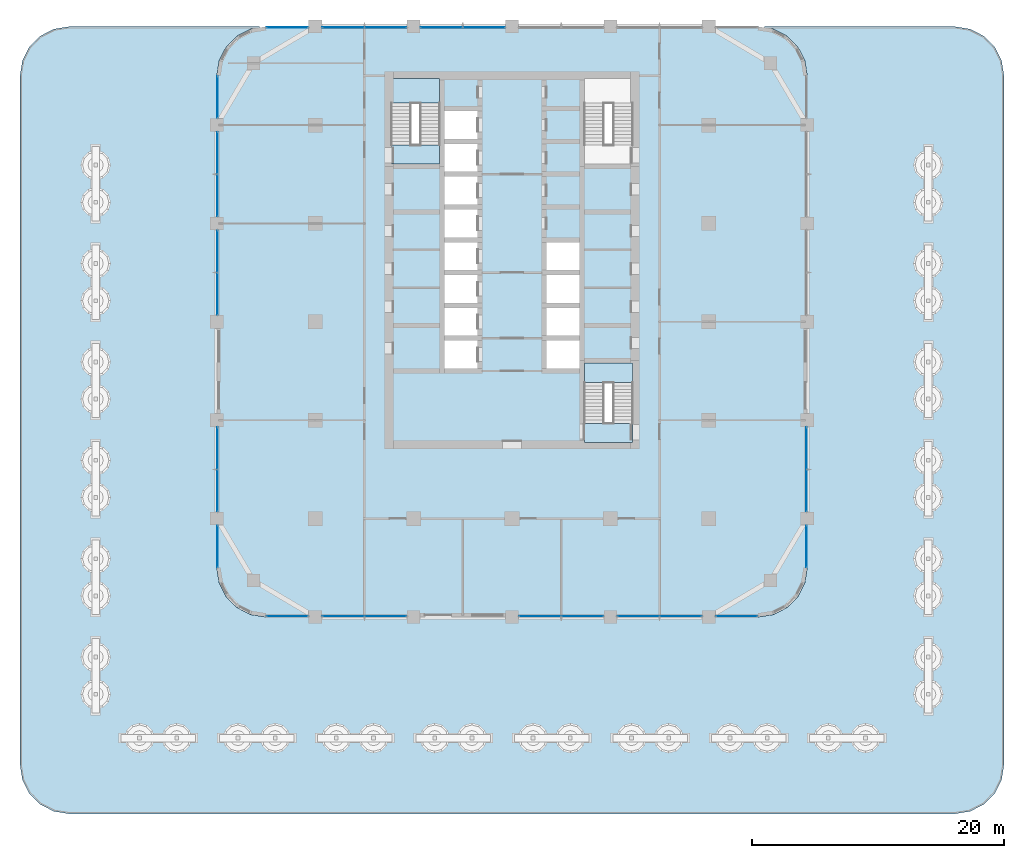
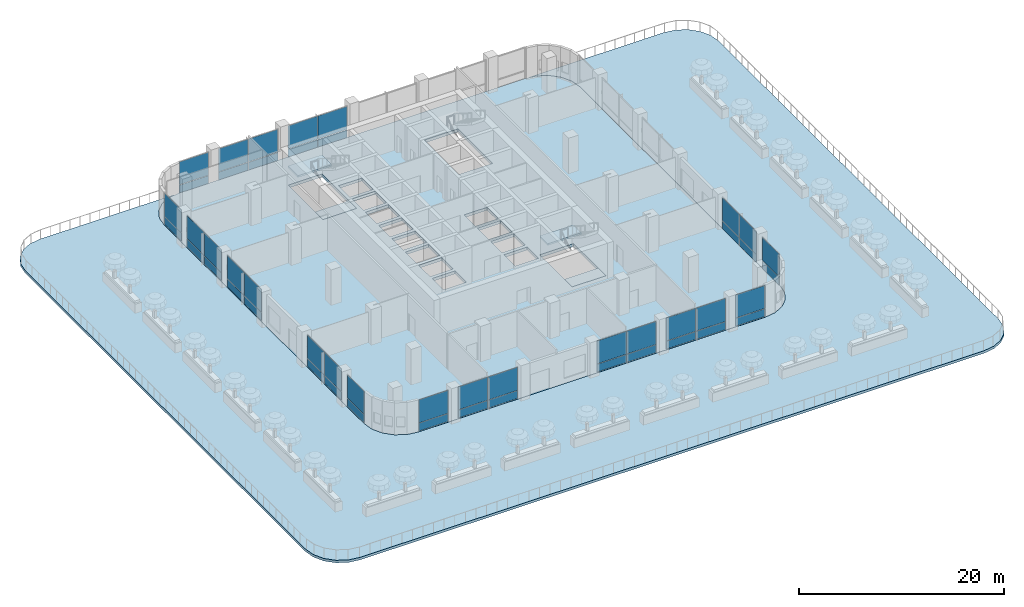
# One storey, part 10 of 31: 48 plates, 6 slabs, 17 elements without a shape of their own.
"""IFC4 building model written with IfcOpenShell, lengths in metres."""

from ifc_helpers import new_model, si_unit, direction, frame, origin, origin_2d, place, context, subcontext, project, spatial, polyline, rectangle, outline, extrude, material, layer, layer_set, type_object, element, aggregate, save


model = new_model("IFC4")

# Units and contexts
model_context = context("Model", 3, precision=1e-05, world=origin(), true_north=direction((0.0, 1.0)))
body_context = subcontext(model_context, "Body", "Model", "MODEL_VIEW")
ifc_project = project(units=[si_unit("LENGTHUNIT", "METRE"), si_unit("AREAUNIT", "SQUARE_METRE"), si_unit("VOLUMEUNIT", "CUBIC_METRE"), si_unit("PLANEANGLEUNIT", "RADIAN"), si_unit("MASSUNIT", "GRAM", prefix="KILO")], contexts=[model_context])

# Site, building, storey
site_placement = place(None, origin())
site = spatial("IfcSite", under=ifc_project, at=site_placement, CompositionType="ELEMENT")
building_placement = place(site_placement, origin())
building = spatial("IfcBuilding", under=site, at=building_placement, Name="Ludao Terraces", CompositionType="ELEMENT")
storey_placement = place(building_placement, frame((0.0, 0.0, 15.0)))
storey = spatial("IfcBuildingStorey", under=building, at=storey_placement, Name="L03", CompositionType="ELEMENT", Elevation=15.0)

# Curtain wall, plates
ifc_material_1 = material(Name="Aluminium curtain wall with fritted glass", Category="aluminium")
curtain_wall_type = type_object("IfcCurtainWallType", Name="ENV CW5 amenity glazing", PredefinedType="NOTDEFINED", material=ifc_material_1)
curtain_wall_1_placement = place(storey_placement, origin())
curtain_wall_1 = element("IfcCurtainWall", 1, at=curtain_wall_1_placement, inside=storey, type_object=curtain_wall_type, Name="Amenity glazing L03 S1", PredefinedType="NOTDEFINED")
ifc_material_2 = material(Name="Fritted glass panel", Category="glass")
ifc_layer_1 = layer(ifc_material_2, 0.02587890625)
ifc_layer_set_1 = layer_set([ifc_layer_1], Name="ENV CW5 glass panel")
plate_type = type_object("IfcPlateType", Name="ENV CW5 glass panel", PredefinedType="CURTAIN_PANEL", material=ifc_layer_set_1)
plate_1_placement = place(storey_placement, frame((67.1875, 41.659912109375, 0.0498046875), z_axis=(0.0, 0.0, 1.0), x_axis=(1.0, 0.0, 0.0)))
plate_1 = element("IfcPlate", 2, at=plate_1_placement, type_object=plate_type, Name="CW5 panel 1.1", PredefinedType="CURTAIN_PANEL", context=body_context, shape_type="SweptSolid", body=[
    extrude(rectangle(XDim=3.27490234375, YDim=0.02587890625, at=origin_2d()), origin(), (0.0, 0.0, 1.0), 0.925048828125),
])
plate_2_placement = place(storey_placement, frame((67.1875, 41.659912109375, 1.02490234375), z_axis=(0.0, 0.0, 1.0), x_axis=(1.0, 0.0, 0.0)))
plate_2 = element("IfcPlate", 3, at=plate_2_placement, type_object=plate_type, Name="CW5 panel 1.2", PredefinedType="CURTAIN_PANEL", context=body_context, shape_type="SweptSolid", body=[
    extrude(rectangle(XDim=3.27490234375, YDim=0.02587890625, at=origin_2d()), origin(), (0.0, 0.0, 1.0), 2.72509765625),
])
aggregate(curtain_wall_1, [plate_1, plate_2])

curtain_wall_2_placement = place(storey_placement, origin())
curtain_wall_2 = element("IfcCurtainWall", 4, at=curtain_wall_2_placement, inside=storey, type_object=curtain_wall_type, Name="Amenity glazing L03 S2", PredefinedType="NOTDEFINED")
plate_3_placement = place(storey_placement, frame((71.625, 41.659912109375, 0.0498046875), z_axis=(0.0, 0.0, 1.0), x_axis=(1.0, 0.0, 0.0)))
plate_3 = element("IfcPlate", 5, at=plate_3_placement, type_object=plate_type, Name="CW5 panel 1.1", PredefinedType="CURTAIN_PANEL", context=body_context, shape_type="SweptSolid", body=[
    extrude(rectangle(XDim=3.300048828125, YDim=0.02587890625, at=origin_2d()), origin(), (0.0, 0.0, 1.0), 0.925048828125),
])
plate_4_placement = place(storey_placement, frame((71.625, 41.659912109375, 1.02490234375), z_axis=(0.0, 0.0, 1.0), x_axis=(1.0, 0.0, 0.0)))
plate_4 = element("IfcPlate", 6, at=plate_4_placement, type_object=plate_type, Name="CW5 panel 1.2", PredefinedType="CURTAIN_PANEL", context=body_context, shape_type="SweptSolid", body=[
    extrude(rectangle(XDim=3.300048828125, YDim=0.02587890625, at=origin_2d()), origin(), (0.0, 0.0, 1.0), 2.72509765625),
])
plate_5_placement = place(storey_placement, frame((74.97509765625, 41.659912109375, 0.0498046875), z_axis=(0.0, 0.0, 1.0), x_axis=(1.0, 0.0, 0.0)))
plate_5 = element("IfcPlate", 7, at=plate_5_placement, type_object=plate_type, Name="CW5 panel 2.1", PredefinedType="CURTAIN_PANEL", context=body_context, shape_type="SweptSolid", body=[
    extrude(rectangle(XDim=3.300048828125, YDim=0.02587890625, at=origin_2d()), origin(), (0.0, 0.0, 1.0), 0.925048828125),
])
plate_6_placement = place(storey_placement, frame((74.97509765625, 41.659912109375, 1.02490234375), z_axis=(0.0, 0.0, 1.0), x_axis=(1.0, 0.0, 0.0)))
plate_6 = element("IfcPlate", 8, at=plate_6_placement, type_object=plate_type, Name="CW5 panel 2.2", PredefinedType="CURTAIN_PANEL", context=body_context, shape_type="SweptSolid", body=[
    extrude(rectangle(XDim=3.300048828125, YDim=0.02587890625, at=origin_2d()), origin(), (0.0, 0.0, 1.0), 2.72509765625),
])
aggregate(curtain_wall_2, [plate_3, plate_4, plate_5, plate_6])

curtain_wall_3_placement = place(storey_placement, origin())
curtain_wall_3 = element("IfcCurtainWall", 9, at=curtain_wall_3_placement, inside=storey, type_object=curtain_wall_type, Name="Amenity glazing L03 S4", PredefinedType="NOTDEFINED")
plate_7_placement = place(storey_placement, frame((87.22509765625, 41.659912109375, 0.0498046875), z_axis=(0.0, 0.0, 1.0), x_axis=(1.0, 0.0, 0.0)))
plate_7 = element("IfcPlate", 10, at=plate_7_placement, type_object=plate_type, Name="CW5 panel 1.1", PredefinedType="CURTAIN_PANEL", context=body_context, shape_type="SweptSolid", body=[
    extrude(rectangle(XDim=3.300048828125, YDim=0.02587890625, at=origin_2d()), origin(), (0.0, 0.0, 1.0), 0.925048828125),
])
plate_8_placement = place(storey_placement, frame((87.22509765625, 41.659912109375, 1.02490234375), z_axis=(0.0, 0.0, 1.0), x_axis=(1.0, 0.0, 0.0)))
plate_8 = element("IfcPlate", 11, at=plate_8_placement, type_object=plate_type, Name="CW5 panel 1.2", PredefinedType="CURTAIN_PANEL", context=body_context, shape_type="SweptSolid", body=[
    extrude(rectangle(XDim=3.300048828125, YDim=0.02587890625, at=origin_2d()), origin(), (0.0, 0.0, 1.0), 2.72509765625),
])
plate_9_placement = place(storey_placement, frame((90.574951171875, 41.659912109375, 0.0498046875), z_axis=(0.0, 0.0, 1.0), x_axis=(1.0, 0.0, 0.0)))
plate_9 = element("IfcPlate", 12, at=plate_9_placement, type_object=plate_type, Name="CW5 panel 2.1", PredefinedType="CURTAIN_PANEL", context=body_context, shape_type="SweptSolid", body=[
    extrude(rectangle(XDim=3.300048828125, YDim=0.02587890625, at=origin_2d()), origin(), (0.0, 0.0, 1.0), 0.925048828125),
])
plate_10_placement = place(storey_placement, frame((90.574951171875, 41.659912109375, 1.02490234375), z_axis=(0.0, 0.0, 1.0), x_axis=(1.0, 0.0, 0.0)))
plate_10 = element("IfcPlate", 13, at=plate_10_placement, type_object=plate_type, Name="CW5 panel 2.2", PredefinedType="CURTAIN_PANEL", context=body_context, shape_type="SweptSolid", body=[
    extrude(rectangle(XDim=3.300048828125, YDim=0.02587890625, at=origin_2d()), origin(), (0.0, 0.0, 1.0), 2.72509765625),
])
aggregate(curtain_wall_3, [plate_7, plate_8, plate_9, plate_10])

curtain_wall_4_placement = place(storey_placement, origin())
curtain_wall_4 = element("IfcCurtainWall", 14, at=curtain_wall_4_placement, inside=storey, type_object=curtain_wall_type, Name="Amenity glazing L03 S5", PredefinedType="NOTDEFINED")
plate_11_placement = place(storey_placement, frame((95.02490234375, 41.659912109375, 0.0498046875), z_axis=(0.0, 0.0, 1.0), x_axis=(1.0, 0.0, 0.0)))
plate_11 = element("IfcPlate", 15, at=plate_11_placement, type_object=plate_type, Name="CW5 panel 1.1", PredefinedType="CURTAIN_PANEL", context=body_context, shape_type="SweptSolid", body=[
    extrude(rectangle(XDim=3.300048828125, YDim=0.02587890625, at=origin_2d()), origin(), (0.0, 0.0, 1.0), 0.925048828125),
])
plate_12_placement = place(storey_placement, frame((95.02490234375, 41.659912109375, 1.02490234375), z_axis=(0.0, 0.0, 1.0), x_axis=(1.0, 0.0, 0.0)))
plate_12 = element("IfcPlate", 16, at=plate_12_placement, type_object=plate_type, Name="CW5 panel 1.2", PredefinedType="CURTAIN_PANEL", context=body_context, shape_type="SweptSolid", body=[
    extrude(rectangle(XDim=3.300048828125, YDim=0.02587890625, at=origin_2d()), origin(), (0.0, 0.0, 1.0), 2.72509765625),
])
plate_13_placement = place(storey_placement, frame((98.375, 41.659912109375, 0.0498046875), z_axis=(0.0, 0.0, 1.0), x_axis=(1.0, 0.0, 0.0)))
plate_13 = element("IfcPlate", 17, at=plate_13_placement, type_object=plate_type, Name="CW5 panel 2.1", PredefinedType="CURTAIN_PANEL", context=body_context, shape_type="SweptSolid", body=[
    extrude(rectangle(XDim=3.300048828125, YDim=0.02587890625, at=origin_2d()), origin(), (0.0, 0.0, 1.0), 0.925048828125),
])
plate_14_placement = place(storey_placement, frame((98.375, 41.659912109375, 1.02490234375), z_axis=(0.0, 0.0, 1.0), x_axis=(1.0, 0.0, 0.0)))
plate_14 = element("IfcPlate", 18, at=plate_14_placement, type_object=plate_type, Name="CW5 panel 2.2", PredefinedType="CURTAIN_PANEL", context=body_context, shape_type="SweptSolid", body=[
    extrude(rectangle(XDim=3.300048828125, YDim=0.02587890625, at=origin_2d()), origin(), (0.0, 0.0, 1.0), 2.72509765625),
])
aggregate(curtain_wall_4, [plate_11, plate_12, plate_13, plate_14])

curtain_wall_5_placement = place(storey_placement, origin())
curtain_wall_5 = element("IfcCurtainWall", 19, at=curtain_wall_5_placement, inside=storey, type_object=curtain_wall_type, Name="Amenity glazing L03 S6", PredefinedType="NOTDEFINED")
plate_15_placement = place(storey_placement, frame((102.8125, 41.659912109375, 0.0498046875), z_axis=(0.0, 0.0, 1.0), x_axis=(1.0, 0.0, 0.0)))
plate_15 = element("IfcPlate", 20, at=plate_15_placement, type_object=plate_type, Name="CW5 panel 1.1", PredefinedType="CURTAIN_PANEL", context=body_context, shape_type="SweptSolid", body=[
    extrude(rectangle(XDim=3.27490234375, YDim=0.02587890625, at=origin_2d()), origin(), (0.0, 0.0, 1.0), 0.925048828125),
])
plate_16_placement = place(storey_placement, frame((102.8125, 41.659912109375, 1.02490234375), z_axis=(0.0, 0.0, 1.0), x_axis=(1.0, 0.0, 0.0)))
plate_16 = element("IfcPlate", 21, at=plate_16_placement, type_object=plate_type, Name="CW5 panel 1.2", PredefinedType="CURTAIN_PANEL", context=body_context, shape_type="SweptSolid", body=[
    extrude(rectangle(XDim=3.27490234375, YDim=0.02587890625, at=origin_2d()), origin(), (0.0, 0.0, 1.0), 2.72509765625),
])
aggregate(curtain_wall_5, [plate_15, plate_16])

curtain_wall_6_placement = place(storey_placement, origin())
curtain_wall_6 = element("IfcCurtainWall", 22, at=curtain_wall_6_placement, inside=storey, type_object=curtain_wall_type, Name="Amenity glazing L03 E1", PredefinedType="NOTDEFINED")
plate_17_placement = place(storey_placement, frame((108.340087890625, 47.1875, 0.0498046875), z_axis=(0.0, 0.0, 1.0), x_axis=(0.0, 1.0, 0.0)))
plate_17 = element("IfcPlate", 23, at=plate_17_placement, type_object=plate_type, Name="CW5 panel 1.1", PredefinedType="CURTAIN_PANEL", context=body_context, shape_type="SweptSolid", body=[
    extrude(rectangle(XDim=3.27490234375, YDim=0.02587890625, at=origin_2d()), origin(), (0.0, 0.0, 1.0), 0.925048828125),
])
plate_18_placement = place(storey_placement, frame((108.340087890625, 47.1875, 1.02490234375), z_axis=(0.0, 0.0, 1.0), x_axis=(0.0, 1.0, 0.0)))
plate_18 = element("IfcPlate", 24, at=plate_18_placement, type_object=plate_type, Name="CW5 panel 1.2", PredefinedType="CURTAIN_PANEL", context=body_context, shape_type="SweptSolid", body=[
    extrude(rectangle(XDim=3.27490234375, YDim=0.02587890625, at=origin_2d()), origin(), (0.0, 0.0, 1.0), 2.72509765625),
])
aggregate(curtain_wall_6, [plate_17, plate_18])

curtain_wall_7_placement = place(storey_placement, origin())
curtain_wall_7 = element("IfcCurtainWall", 25, at=curtain_wall_7_placement, inside=storey, type_object=curtain_wall_type, Name="Amenity glazing L03 E2", PredefinedType="NOTDEFINED")
plate_19_placement = place(storey_placement, frame((108.340087890625, 51.625, 0.0498046875), z_axis=(0.0, 0.0, 1.0), x_axis=(0.0, 1.0, 0.0)))
plate_19 = element("IfcPlate", 26, at=plate_19_placement, type_object=plate_type, Name="CW5 panel 1.1", PredefinedType="CURTAIN_PANEL", context=body_context, shape_type="SweptSolid", body=[
    extrude(rectangle(XDim=3.300048828125, YDim=0.02587890625, at=origin_2d()), origin(), (0.0, 0.0, 1.0), 0.925048828125),
])
plate_20_placement = place(storey_placement, frame((108.340087890625, 51.625, 1.02490234375), z_axis=(0.0, 0.0, 1.0), x_axis=(0.0, 1.0, 0.0)))
plate_20 = element("IfcPlate", 27, at=plate_20_placement, type_object=plate_type, Name="CW5 panel 1.2", PredefinedType="CURTAIN_PANEL", context=body_context, shape_type="SweptSolid", body=[
    extrude(rectangle(XDim=3.300048828125, YDim=0.02587890625, at=origin_2d()), origin(), (0.0, 0.0, 1.0), 2.72509765625),
])
plate_21_placement = place(storey_placement, frame((108.340087890625, 54.97509765625, 0.0498046875), z_axis=(0.0, 0.0, 1.0), x_axis=(0.0, 1.0, 0.0)))
plate_21 = element("IfcPlate", 28, at=plate_21_placement, type_object=plate_type, Name="CW5 panel 2.1", PredefinedType="CURTAIN_PANEL", context=body_context, shape_type="SweptSolid", body=[
    extrude(rectangle(XDim=3.300048828125, YDim=0.02587890625, at=origin_2d()), origin(), (0.0, 0.0, 1.0), 0.925048828125),
])
plate_22_placement = place(storey_placement, frame((108.340087890625, 54.97509765625, 1.02490234375), z_axis=(0.0, 0.0, 1.0), x_axis=(0.0, 1.0, 0.0)))
plate_22 = element("IfcPlate", 29, at=plate_22_placement, type_object=plate_type, Name="CW5 panel 2.2", PredefinedType="CURTAIN_PANEL", context=body_context, shape_type="SweptSolid", body=[
    extrude(rectangle(XDim=3.300048828125, YDim=0.02587890625, at=origin_2d()), origin(), (0.0, 0.0, 1.0), 2.72509765625),
])
aggregate(curtain_wall_7, [plate_19, plate_20, plate_21, plate_22])

curtain_wall_8_placement = place(storey_placement, origin())
curtain_wall_8 = element("IfcCurtainWall", 30, at=curtain_wall_8_placement, inside=storey, type_object=curtain_wall_type, Name="Amenity glazing L03 N1", PredefinedType="NOTDEFINED")
plate_23_placement = place(storey_placement, frame((67.1875, 88.340087890625, 0.0498046875), z_axis=(0.0, 0.0, 1.0), x_axis=(1.0, 0.0, 0.0)))
plate_23 = element("IfcPlate", 31, at=plate_23_placement, type_object=plate_type, Name="CW5 panel 1.1", PredefinedType="CURTAIN_PANEL", context=body_context, shape_type="SweptSolid", body=[
    extrude(rectangle(XDim=3.27490234375, YDim=0.02587890625, at=origin_2d()), origin(), (0.0, 0.0, 1.0), 0.925048828125),
])
plate_24_placement = place(storey_placement, frame((67.1875, 88.340087890625, 1.02490234375), z_axis=(0.0, 0.0, 1.0), x_axis=(1.0, 0.0, 0.0)))
plate_24 = element("IfcPlate", 32, at=plate_24_placement, type_object=plate_type, Name="CW5 panel 1.2", PredefinedType="CURTAIN_PANEL", context=body_context, shape_type="SweptSolid", body=[
    extrude(rectangle(XDim=3.27490234375, YDim=0.02587890625, at=origin_2d()), origin(), (0.0, 0.0, 1.0), 2.72509765625),
])
aggregate(curtain_wall_8, [plate_23, plate_24])

curtain_wall_9_placement = place(storey_placement, origin())
curtain_wall_9 = element("IfcCurtainWall", 33, at=curtain_wall_9_placement, inside=storey, type_object=curtain_wall_type, Name="Amenity glazing L03 N2", PredefinedType="NOTDEFINED")
plate_25_placement = place(storey_placement, frame((71.625, 88.340087890625, 0.0498046875), z_axis=(0.0, 0.0, 1.0), x_axis=(1.0, 0.0, 0.0)))
plate_25 = element("IfcPlate", 34, at=plate_25_placement, type_object=plate_type, Name="CW5 panel 1.1", PredefinedType="CURTAIN_PANEL", context=body_context, shape_type="SweptSolid", body=[
    extrude(rectangle(XDim=3.300048828125, YDim=0.02587890625, at=origin_2d()), origin(), (0.0, 0.0, 1.0), 0.925048828125),
])
plate_26_placement = place(storey_placement, frame((71.625, 88.340087890625, 1.02490234375), z_axis=(0.0, 0.0, 1.0), x_axis=(1.0, 0.0, 0.0)))
plate_26 = element("IfcPlate", 35, at=plate_26_placement, type_object=plate_type, Name="CW5 panel 1.2", PredefinedType="CURTAIN_PANEL", context=body_context, shape_type="SweptSolid", body=[
    extrude(rectangle(XDim=3.300048828125, YDim=0.02587890625, at=origin_2d()), origin(), (0.0, 0.0, 1.0), 2.72509765625),
])
plate_27_placement = place(storey_placement, frame((74.97509765625, 88.340087890625, 0.0498046875), z_axis=(0.0, 0.0, 1.0), x_axis=(1.0, 0.0, 0.0)))
plate_27 = element("IfcPlate", 36, at=plate_27_placement, type_object=plate_type, Name="CW5 panel 2.1", PredefinedType="CURTAIN_PANEL", context=body_context, shape_type="SweptSolid", body=[
    extrude(rectangle(XDim=3.300048828125, YDim=0.02587890625, at=origin_2d()), origin(), (0.0, 0.0, 1.0), 0.925048828125),
])
plate_28_placement = place(storey_placement, frame((74.97509765625, 88.340087890625, 1.02490234375), z_axis=(0.0, 0.0, 1.0), x_axis=(1.0, 0.0, 0.0)))
plate_28 = element("IfcPlate", 37, at=plate_28_placement, type_object=plate_type, Name="CW5 panel 2.2", PredefinedType="CURTAIN_PANEL", context=body_context, shape_type="SweptSolid", body=[
    extrude(rectangle(XDim=3.300048828125, YDim=0.02587890625, at=origin_2d()), origin(), (0.0, 0.0, 1.0), 2.72509765625),
])
aggregate(curtain_wall_9, [plate_25, plate_26, plate_27, plate_28])

curtain_wall_10_placement = place(storey_placement, origin())
curtain_wall_10 = element("IfcCurtainWall", 38, at=curtain_wall_10_placement, inside=storey, type_object=curtain_wall_type, Name="Amenity glazing L03 N3", PredefinedType="NOTDEFINED")
plate_29_placement = place(storey_placement, frame((79.425048828125, 88.340087890625, 0.0498046875), z_axis=(0.0, 0.0, 1.0), x_axis=(1.0, 0.0, 0.0)))
plate_29 = element("IfcPlate", 39, at=plate_29_placement, type_object=plate_type, Name="CW5 panel 1.1", PredefinedType="CURTAIN_PANEL", context=body_context, shape_type="SweptSolid", body=[
    extrude(rectangle(XDim=3.300048828125, YDim=0.02587890625, at=origin_2d()), origin(), (0.0, 0.0, 1.0), 0.925048828125),
])
plate_30_placement = place(storey_placement, frame((79.425048828125, 88.340087890625, 1.02490234375), z_axis=(0.0, 0.0, 1.0), x_axis=(1.0, 0.0, 0.0)))
plate_30 = element("IfcPlate", 40, at=plate_30_placement, type_object=plate_type, Name="CW5 panel 1.2", PredefinedType="CURTAIN_PANEL", context=body_context, shape_type="SweptSolid", body=[
    extrude(rectangle(XDim=3.300048828125, YDim=0.02587890625, at=origin_2d()), origin(), (0.0, 0.0, 1.0), 2.72509765625),
])
plate_31_placement = place(storey_placement, frame((82.77490234375, 88.340087890625, 0.0498046875), z_axis=(0.0, 0.0, 1.0), x_axis=(1.0, 0.0, 0.0)))
plate_31 = element("IfcPlate", 41, at=plate_31_placement, type_object=plate_type, Name="CW5 panel 2.1", PredefinedType="CURTAIN_PANEL", context=body_context, shape_type="SweptSolid", body=[
    extrude(rectangle(XDim=3.300048828125, YDim=0.02587890625, at=origin_2d()), origin(), (0.0, 0.0, 1.0), 0.925048828125),
])
plate_32_placement = place(storey_placement, frame((82.77490234375, 88.340087890625, 1.02490234375), z_axis=(0.0, 0.0, 1.0), x_axis=(1.0, 0.0, 0.0)))
plate_32 = element("IfcPlate", 42, at=plate_32_placement, type_object=plate_type, Name="CW5 panel 2.2", PredefinedType="CURTAIN_PANEL", context=body_context, shape_type="SweptSolid", body=[
    extrude(rectangle(XDim=3.300048828125, YDim=0.02587890625, at=origin_2d()), origin(), (0.0, 0.0, 1.0), 2.72509765625),
])
aggregate(curtain_wall_10, [plate_29, plate_30, plate_31, plate_32])

curtain_wall_11_placement = place(storey_placement, origin())
curtain_wall_11 = element("IfcCurtainWall", 43, at=curtain_wall_11_placement, inside=storey, type_object=curtain_wall_type, Name="Amenity glazing L03 W1", PredefinedType="NOTDEFINED")
plate_33_placement = place(storey_placement, frame((61.659912109375, 47.1875, 0.0498046875), z_axis=(0.0, 0.0, 1.0), x_axis=(0.0, 1.0, 0.0)))
plate_33 = element("IfcPlate", 44, at=plate_33_placement, type_object=plate_type, Name="CW5 panel 1.1", PredefinedType="CURTAIN_PANEL", context=body_context, shape_type="SweptSolid", body=[
    extrude(rectangle(XDim=3.27490234375, YDim=0.02587890625, at=origin_2d()), origin(), (0.0, 0.0, 1.0), 0.925048828125),
])
plate_34_placement = place(storey_placement, frame((61.659912109375, 47.1875, 1.02490234375), z_axis=(0.0, 0.0, 1.0), x_axis=(0.0, 1.0, 0.0)))
plate_34 = element("IfcPlate", 45, at=plate_34_placement, type_object=plate_type, Name="CW5 panel 1.2", PredefinedType="CURTAIN_PANEL", context=body_context, shape_type="SweptSolid", body=[
    extrude(rectangle(XDim=3.27490234375, YDim=0.02587890625, at=origin_2d()), origin(), (0.0, 0.0, 1.0), 2.72509765625),
])
aggregate(curtain_wall_11, [plate_33, plate_34])

curtain_wall_12_placement = place(storey_placement, origin())
curtain_wall_12 = element("IfcCurtainWall", 46, at=curtain_wall_12_placement, inside=storey, type_object=curtain_wall_type, Name="Amenity glazing L03 W2", PredefinedType="NOTDEFINED")
plate_35_placement = place(storey_placement, frame((61.659912109375, 51.625, 0.0498046875), z_axis=(0.0, 0.0, 1.0), x_axis=(0.0, 1.0, 0.0)))
plate_35 = element("IfcPlate", 47, at=plate_35_placement, type_object=plate_type, Name="CW5 panel 1.1", PredefinedType="CURTAIN_PANEL", context=body_context, shape_type="SweptSolid", body=[
    extrude(rectangle(XDim=3.300048828125, YDim=0.02587890625, at=origin_2d()), origin(), (0.0, 0.0, 1.0), 0.925048828125),
])
plate_36_placement = place(storey_placement, frame((61.659912109375, 51.625, 1.02490234375), z_axis=(0.0, 0.0, 1.0), x_axis=(0.0, 1.0, 0.0)))
plate_36 = element("IfcPlate", 48, at=plate_36_placement, type_object=plate_type, Name="CW5 panel 1.2", PredefinedType="CURTAIN_PANEL", context=body_context, shape_type="SweptSolid", body=[
    extrude(rectangle(XDim=3.300048828125, YDim=0.02587890625, at=origin_2d()), origin(), (0.0, 0.0, 1.0), 2.72509765625),
])
plate_37_placement = place(storey_placement, frame((61.659912109375, 54.97509765625, 0.0498046875), z_axis=(0.0, 0.0, 1.0), x_axis=(0.0, 1.0, 0.0)))
plate_37 = element("IfcPlate", 49, at=plate_37_placement, type_object=plate_type, Name="CW5 panel 2.1", PredefinedType="CURTAIN_PANEL", context=body_context, shape_type="SweptSolid", body=[
    extrude(rectangle(XDim=3.300048828125, YDim=0.02587890625, at=origin_2d()), origin(), (0.0, 0.0, 1.0), 0.925048828125),
])
plate_38_placement = place(storey_placement, frame((61.659912109375, 54.97509765625, 1.02490234375), z_axis=(0.0, 0.0, 1.0), x_axis=(0.0, 1.0, 0.0)))
plate_38 = element("IfcPlate", 50, at=plate_38_placement, type_object=plate_type, Name="CW5 panel 2.2", PredefinedType="CURTAIN_PANEL", context=body_context, shape_type="SweptSolid", body=[
    extrude(rectangle(XDim=3.300048828125, YDim=0.02587890625, at=origin_2d()), origin(), (0.0, 0.0, 1.0), 2.72509765625),
])
aggregate(curtain_wall_12, [plate_35, plate_36, plate_37, plate_38])

curtain_wall_13_placement = place(storey_placement, origin())
curtain_wall_13 = element("IfcCurtainWall", 51, at=curtain_wall_13_placement, inside=storey, type_object=curtain_wall_type, Name="Amenity glazing L03 W4", PredefinedType="NOTDEFINED")
plate_39_placement = place(storey_placement, frame((61.659912109375, 67.22509765625, 0.0498046875), z_axis=(0.0, 0.0, 1.0), x_axis=(0.0, 1.0, 0.0)))
plate_39 = element("IfcPlate", 52, at=plate_39_placement, type_object=plate_type, Name="CW5 panel 1.1", PredefinedType="CURTAIN_PANEL", context=body_context, shape_type="SweptSolid", body=[
    extrude(rectangle(XDim=3.300048828125, YDim=0.02587890625, at=origin_2d()), origin(), (0.0, 0.0, 1.0), 0.925048828125),
])
plate_40_placement = place(storey_placement, frame((61.659912109375, 67.22509765625, 1.02490234375), z_axis=(0.0, 0.0, 1.0), x_axis=(0.0, 1.0, 0.0)))
plate_40 = element("IfcPlate", 53, at=plate_40_placement, type_object=plate_type, Name="CW5 panel 1.2", PredefinedType="CURTAIN_PANEL", context=body_context, shape_type="SweptSolid", body=[
    extrude(rectangle(XDim=3.300048828125, YDim=0.02587890625, at=origin_2d()), origin(), (0.0, 0.0, 1.0), 2.72509765625),
])
plate_41_placement = place(storey_placement, frame((61.659912109375, 70.574951171875, 0.0498046875), z_axis=(0.0, 0.0, 1.0), x_axis=(0.0, 1.0, 0.0)))
plate_41 = element("IfcPlate", 54, at=plate_41_placement, type_object=plate_type, Name="CW5 panel 2.1", PredefinedType="CURTAIN_PANEL", context=body_context, shape_type="SweptSolid", body=[
    extrude(rectangle(XDim=3.300048828125, YDim=0.02587890625, at=origin_2d()), origin(), (0.0, 0.0, 1.0), 0.925048828125),
])
plate_42_placement = place(storey_placement, frame((61.659912109375, 70.574951171875, 1.02490234375), z_axis=(0.0, 0.0, 1.0), x_axis=(0.0, 1.0, 0.0)))
plate_42 = element("IfcPlate", 55, at=plate_42_placement, type_object=plate_type, Name="CW5 panel 2.2", PredefinedType="CURTAIN_PANEL", context=body_context, shape_type="SweptSolid", body=[
    extrude(rectangle(XDim=3.300048828125, YDim=0.02587890625, at=origin_2d()), origin(), (0.0, 0.0, 1.0), 2.72509765625),
])
aggregate(curtain_wall_13, [plate_39, plate_40, plate_41, plate_42])

curtain_wall_14_placement = place(storey_placement, origin())
curtain_wall_14 = element("IfcCurtainWall", 56, at=curtain_wall_14_placement, inside=storey, type_object=curtain_wall_type, Name="Amenity glazing L03 W5", PredefinedType="NOTDEFINED")
plate_43_placement = place(storey_placement, frame((61.659912109375, 75.02490234375, 0.0498046875), z_axis=(0.0, 0.0, 1.0), x_axis=(0.0, 1.0, 0.0)))
plate_43 = element("IfcPlate", 57, at=plate_43_placement, type_object=plate_type, Name="CW5 panel 1.1", PredefinedType="CURTAIN_PANEL", context=body_context, shape_type="SweptSolid", body=[
    extrude(rectangle(XDim=3.300048828125, YDim=0.02587890625, at=origin_2d()), origin(), (0.0, 0.0, 1.0), 0.925048828125),
])
plate_44_placement = place(storey_placement, frame((61.659912109375, 75.02490234375, 1.02490234375), z_axis=(0.0, 0.0, 1.0), x_axis=(0.0, 1.0, 0.0)))
plate_44 = element("IfcPlate", 58, at=plate_44_placement, type_object=plate_type, Name="CW5 panel 1.2", PredefinedType="CURTAIN_PANEL", context=body_context, shape_type="SweptSolid", body=[
    extrude(rectangle(XDim=3.300048828125, YDim=0.02587890625, at=origin_2d()), origin(), (0.0, 0.0, 1.0), 2.72509765625),
])
plate_45_placement = place(storey_placement, frame((61.659912109375, 78.375, 0.0498046875), z_axis=(0.0, 0.0, 1.0), x_axis=(0.0, 1.0, 0.0)))
plate_45 = element("IfcPlate", 59, at=plate_45_placement, type_object=plate_type, Name="CW5 panel 2.1", PredefinedType="CURTAIN_PANEL", context=body_context, shape_type="SweptSolid", body=[
    extrude(rectangle(XDim=3.300048828125, YDim=0.02587890625, at=origin_2d()), origin(), (0.0, 0.0, 1.0), 0.925048828125),
])
plate_46_placement = place(storey_placement, frame((61.659912109375, 78.375, 1.02490234375), z_axis=(0.0, 0.0, 1.0), x_axis=(0.0, 1.0, 0.0)))
plate_46 = element("IfcPlate", 60, at=plate_46_placement, type_object=plate_type, Name="CW5 panel 2.2", PredefinedType="CURTAIN_PANEL", context=body_context, shape_type="SweptSolid", body=[
    extrude(rectangle(XDim=3.300048828125, YDim=0.02587890625, at=origin_2d()), origin(), (0.0, 0.0, 1.0), 2.72509765625),
])
aggregate(curtain_wall_14, [plate_43, plate_44, plate_45, plate_46])

curtain_wall_15_placement = place(storey_placement, origin())
curtain_wall_15 = element("IfcCurtainWall", 61, at=curtain_wall_15_placement, inside=storey, type_object=curtain_wall_type, Name="Amenity glazing L03 W6", PredefinedType="NOTDEFINED")
plate_47_placement = place(storey_placement, frame((61.659912109375, 82.8125, 0.0498046875), z_axis=(0.0, 0.0, 1.0), x_axis=(0.0, 1.0, 0.0)))
plate_47 = element("IfcPlate", 62, at=plate_47_placement, type_object=plate_type, Name="CW5 panel 1.1", PredefinedType="CURTAIN_PANEL", context=body_context, shape_type="SweptSolid", body=[
    extrude(rectangle(XDim=3.27490234375, YDim=0.02587890625, at=origin_2d()), origin(), (0.0, 0.0, 1.0), 0.925048828125),
])
plate_48_placement = place(storey_placement, frame((61.659912109375, 82.8125, 1.02490234375), z_axis=(0.0, 0.0, 1.0), x_axis=(0.0, 1.0, 0.0)))
plate_48 = element("IfcPlate", 63, at=plate_48_placement, type_object=plate_type, Name="CW5 panel 1.2", PredefinedType="CURTAIN_PANEL", context=body_context, shape_type="SweptSolid", body=[
    extrude(rectangle(XDim=3.27490234375, YDim=0.02587890625, at=origin_2d()), origin(), (0.0, 0.0, 1.0), 2.72509765625),
])
aggregate(curtain_wall_15, [plate_47, plate_48])

# Slab
ifc_material_3 = material(Name="Concrete C40", Category="concrete")
ifc_layer_2 = layer(ifc_material_3, 0.35009765625)
ifc_layer_set_2 = layer_set([ifc_layer_2], Name="Floor slab 350 C40")
slab_type_1 = type_object("IfcSlabType", Name="Floor slab 350 C40", PredefinedType="FLOOR", material=ifc_layer_set_2)
slab_1_placement = place(storey_placement, frame((0.0, 0.0, -0.35009765625)))
element("IfcSlab", 64, at=slab_1_placement, inside=storey, type_object=slab_type_1, Name="Slab L03", PredefinedType="FLOOR", context=body_context, shape_type="SweptSolid", body=[
    extrude(outline(polyline([(104.5, 41.60009765625), (105.705078125, 41.790771484375), (106.79248046875, 42.3447265625), (107.6552734375, 43.20751953125), (108.209228515625, 44.294921875), (108.39990234375, 45.5), (108.39990234375, 84.5), (108.209228515625, 85.705078125), (107.6552734375, 86.79248046875), (106.79248046875, 87.6552734375), (105.705078125, 88.209228515625), (104.5, 88.39990234375), (65.5, 88.39990234375), (64.294921875, 88.209228515625), (63.20751953125, 87.6552734375), (62.3447265625, 86.79248046875), (61.790771484375, 85.705078125), (61.60009765625, 84.5), (61.60009765625, 45.5), (61.790771484375, 44.294921875), (62.3447265625, 43.20751953125), (63.20751953125, 42.3447265625), (64.294921875, 41.790771484375), (65.5, 41.60009765625), (104.5, 41.60009765625)]), holes=[polyline([(79.64990234375, 61.300048828125), (82.25, 61.300048828125), (82.25, 63.5), (79.64990234375, 63.5), (79.64990234375, 61.300048828125)]), polyline([(79.64990234375, 63.89990234375), (82.25, 63.89990234375), (82.25, 66.10009765625), (79.64990234375, 66.10009765625), (79.64990234375, 63.89990234375)]), polyline([(79.64990234375, 66.5), (82.25, 66.5), (82.25, 68.699951171875), (79.64990234375, 68.699951171875), (79.64990234375, 66.5)]), polyline([(79.64990234375, 69.10009765625), (82.25, 69.10009765625), (82.25, 71.300048828125), (79.64990234375, 71.300048828125), (79.64990234375, 69.10009765625)]), polyline([(79.64990234375, 71.699951171875), (82.25, 71.699951171875), (82.25, 73.89990234375), (79.64990234375, 73.89990234375), (79.64990234375, 71.699951171875)]), polyline([(79.64990234375, 74.300048828125), (82.25, 74.300048828125), (82.25, 76.5), (79.64990234375, 76.5), (79.64990234375, 74.300048828125)]), polyline([(79.64990234375, 76.89990234375), (82.25, 76.89990234375), (82.25, 79.10009765625), (79.64990234375, 79.10009765625), (79.64990234375, 76.89990234375)]), polyline([(79.64990234375, 79.5), (82.25, 79.5), (82.25, 81.699951171875), (79.64990234375, 81.699951171875), (79.64990234375, 79.5)]), polyline([(87.75, 61.300048828125), (90.35009765625, 61.300048828125), (90.35009765625, 63.5), (87.75, 63.5), (87.75, 61.300048828125)]), polyline([(87.75, 63.89990234375), (90.35009765625, 63.89990234375), (90.35009765625, 66.10009765625), (87.75, 66.10009765625), (87.75, 63.89990234375)]), polyline([(87.75, 66.5), (90.35009765625, 66.5), (90.35009765625, 68.699951171875), (87.75, 68.699951171875), (87.75, 66.5)]), polyline([(87.75, 69.10009765625), (90.35009765625, 69.10009765625), (90.35009765625, 71.300048828125), (87.75, 71.300048828125), (87.75, 69.10009765625)]), polyline([(75.449951171875, 77.5), (79.25, 77.5), (79.25, 84.239990234375), (75.449951171875, 84.239990234375), (75.449951171875, 77.5)]), polyline([(90.75, 77.5), (94.550048828125, 77.5), (94.550048828125, 84.239990234375), (90.75, 84.239990234375), (90.75, 77.5)]), polyline([(90.75, 55.449951171875), (94.550048828125, 55.449951171875), (94.550048828125, 61.75), (90.75, 61.75), (90.75, 55.449951171875)])]), origin(), (0.0, 0.0, 1.0), 0.35009765625),
])

# Stair, slabs
stair_type = type_object("IfcStairType", Name="INT Stair", PredefinedType="HALF_TURN_STAIR", material=ifc_material_3)
stair_1_placement = place(storey_placement, origin())
stair_1 = element("IfcStair", 65, at=stair_1_placement, inside=storey, type_object=stair_type, Name="EXIT STAIR 1", PredefinedType="HALF_TURN_STAIR")
ifc_layer_3 = layer(ifc_material_3, 0.199951171875)
ifc_layer_set_3 = layer_set([ifc_layer_3], Name="INT Stair landing 200")
slab_type_2 = type_object("IfcSlabType", Name="INT Stair landing 200", PredefinedType="LANDING", material=ifc_layer_set_3)
slab_2_placement = place(storey_placement, frame((0.0, 0.0, 2.050048828125)))
slab_2 = element("IfcSlab", 66, at=slab_2_placement, type_object=slab_type_2, Name="ST1 landing 1", PredefinedType="LANDING", context=body_context, shape_type="SweptSolid", body=[
    extrude(outline(polyline([(75.449951171875, 82.360107421875), (79.25, 82.360107421875), (79.25, 84.300048828125), (75.449951171875, 84.300048828125), (75.449951171875, 82.360107421875)])), origin(), (0.0, 0.0, 1.0), 0.199951171875),
])
slab_3_placement = place(storey_placement, frame((0.0, 0.0, -0.199951171875)))
slab_3 = element("IfcSlab", 67, at=slab_3_placement, type_object=slab_type_2, Name="ST1 landing 2", PredefinedType="LANDING", context=body_context, shape_type="SweptSolid", body=[
    extrude(outline(polyline([(75.449951171875, 77.5), (79.25, 77.5), (79.25, 79.0), (75.449951171875, 79.0), (75.449951171875, 77.5)])), origin(), (0.0, 0.0, 1.0), 0.199951171875),
])
aggregate(stair_1, [slab_2, slab_3])

stair_2_placement = place(storey_placement, origin())
stair_2 = element("IfcStair", 68, at=stair_2_placement, inside=storey, type_object=stair_type, Name="EXIT STAIR 3", PredefinedType="HALF_TURN_STAIR")
slab_4_placement = place(storey_placement, frame((0.0, 0.0, 2.050048828125)))
slab_4 = element("IfcSlab", 69, at=slab_4_placement, type_object=slab_type_2, Name="ST3 landing 1", PredefinedType="LANDING", context=body_context, shape_type="SweptSolid", body=[
    extrude(outline(polyline([(90.75, 60.18994140625), (94.550048828125, 60.18994140625), (94.550048828125, 61.75), (90.75, 61.75), (90.75, 60.18994140625)])), origin(), (0.0, 0.0, 1.0), 0.199951171875),
])
slab_5_placement = place(storey_placement, frame((0.0, 0.0, -0.199951171875)))
slab_5 = element("IfcSlab", 70, at=slab_5_placement, type_object=slab_type_2, Name="ST3 landing 2", PredefinedType="LANDING", context=body_context, shape_type="SweptSolid", body=[
    extrude(outline(polyline([(90.75, 55.449951171875), (94.550048828125, 55.449951171875), (94.550048828125, 56.949951171875), (90.75, 56.949951171875), (90.75, 55.449951171875)])), origin(), (0.0, 0.0, 1.0), 0.199951171875),
])
aggregate(stair_2, [slab_4, slab_5])

# Slab
ifc_layer_4 = layer(ifc_material_3, 0.300048828125)
ifc_layer_set_4 = layer_set([ifc_layer_4], Name="Roof slab 300 C40")
slab_type_3 = type_object("IfcSlabType", Name="Roof slab 300 C40", PredefinedType="ROOF", material=ifc_layer_set_4)
slab_6_placement = place(storey_placement, frame((0.0, 0.0, -0.300048828125)))
element("IfcSlab", 71, at=slab_6_placement, inside=storey, type_object=slab_type_3, Name="Podium roof terrace", PredefinedType="ROOF", context=body_context, shape_type="SweptSolid", body=[
    extrude(outline(polyline([(121.30517578125, 88.209228515625), (122.392333984375, 87.6552734375), (123.255126953125, 86.79248046875), (123.80908203125, 85.705078125), (124.0, 84.5), (124.0, 29.89990234375), (123.80908203125, 28.69482421875), (123.255126953125, 27.607666015625), (122.392333984375, 26.744873046875), (121.30517578125, 26.19091796875), (120.10009765625, 26.0), (49.89990234375, 26.0), (48.69482421875, 26.19091796875), (47.607666015625, 26.744873046875), (46.744873046875, 27.607666015625), (46.19091796875, 28.69482421875), (46.0, 29.89990234375), (46.0, 84.5), (46.19091796875, 85.705078125), (46.744873046875, 86.79248046875), (47.607666015625, 87.6552734375), (48.69482421875, 88.209228515625), (49.89990234375, 88.39990234375), (65.0, 88.39990234375), (65.0, 88.32080078125), (64.294921875, 88.209228515625), (63.20751953125, 87.6552734375), (62.3447265625, 86.79248046875), (61.790771484375, 85.705078125), (61.60009765625, 84.5), (61.60009765625, 45.5), (61.790771484375, 44.294921875), (62.3447265625, 43.20751953125), (63.20751953125, 42.3447265625), (64.294921875, 41.790771484375), (65.5, 41.60009765625), (104.5, 41.60009765625), (105.705078125, 41.790771484375), (106.79248046875, 42.3447265625), (107.6552734375, 43.20751953125), (108.209228515625, 44.294921875), (108.39990234375, 45.5), (108.39990234375, 84.5), (108.209228515625, 85.705078125), (107.6552734375, 86.79248046875), (106.79248046875, 87.6552734375), (105.705078125, 88.209228515625), (105.0, 88.32080078125), (105.0, 88.39990234375), (120.10009765625, 88.39990234375), (121.30517578125, 88.209228515625)])), origin(), (0.0, 0.0, 1.0), 0.300048828125),
])

save(model, "model.ifc")
